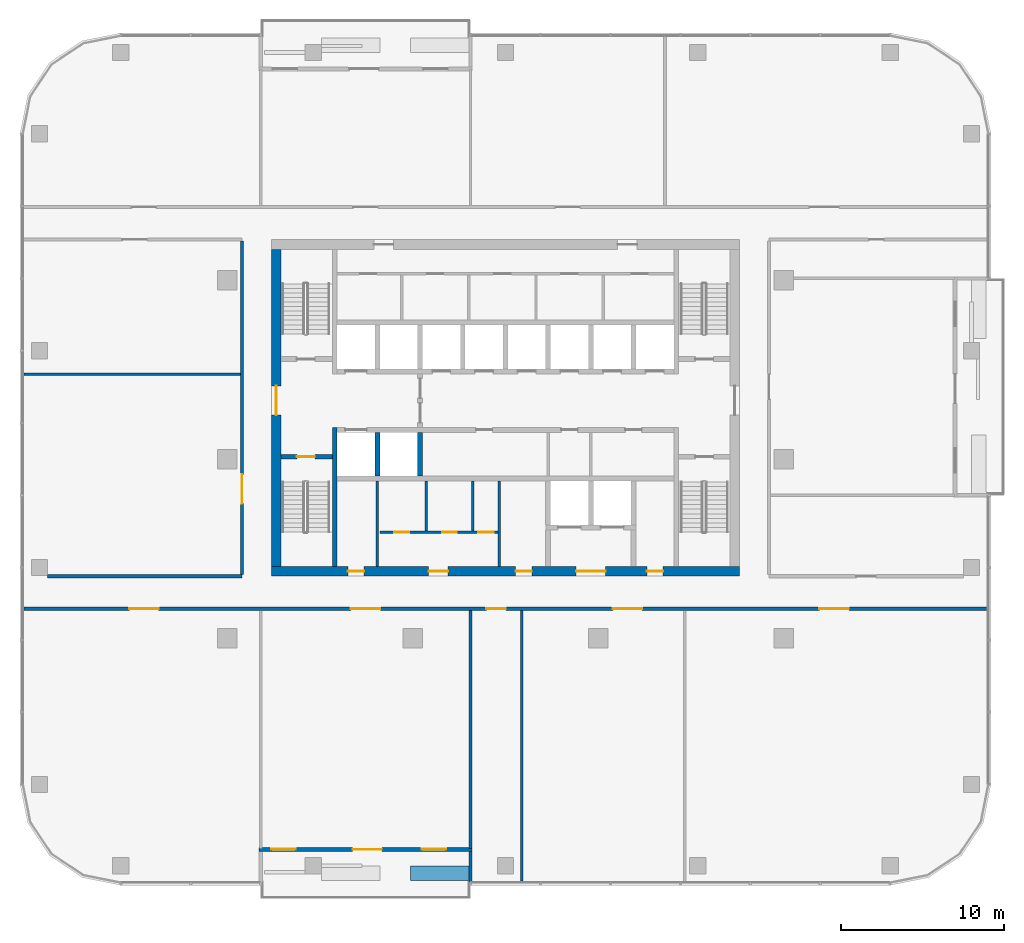
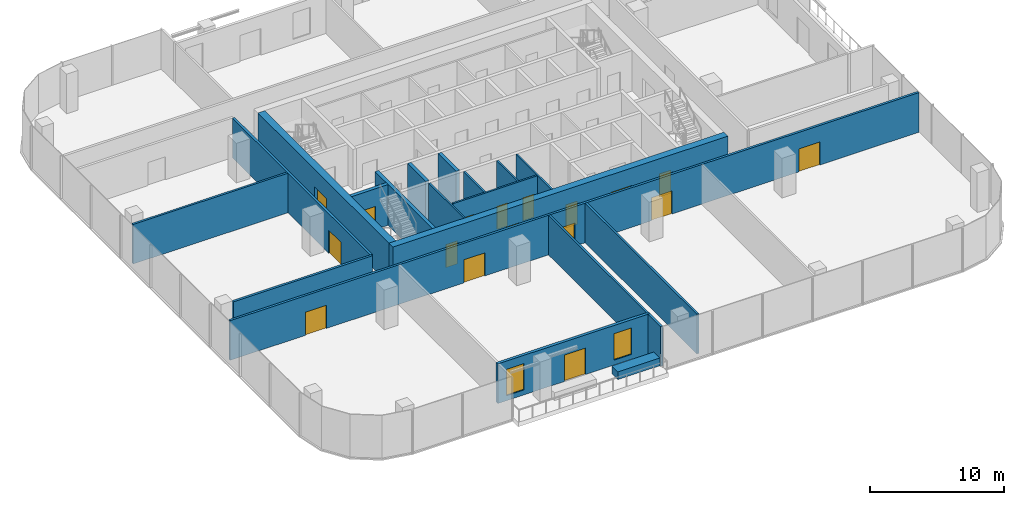
# One storey, part 7 of 13: 20 walls, 17 doors, 2 windows, 19 openings.
"""IFC4 building model written with IfcOpenShell, lengths in metres."""

from ifc_helpers import new_model, si_unit, direction, frame, frame_2d, origin, place, context, subcontext, project, spatial, rectangle, extrude, material, layer, layer_set, type_object, element, fill, save


model = new_model("IFC4")

# Units and contexts
model_context = context("Model", 3, precision=1e-05, world=origin(), true_north=direction((0.0, 1.0)))
body_context = subcontext(model_context, "Body", "Model", "MODEL_VIEW")
ifc_project = project(units=[si_unit("LENGTHUNIT", "METRE"), si_unit("AREAUNIT", "SQUARE_METRE"), si_unit("VOLUMEUNIT", "CUBIC_METRE"), si_unit("PLANEANGLEUNIT", "RADIAN"), si_unit("MASSUNIT", "GRAM", prefix="KILO")], contexts=[model_context])

# Site, building, storey
site_placement = place(None, origin())
site = spatial("IfcSite", under=ifc_project, at=site_placement, CompositionType="ELEMENT")
building_placement = place(site_placement, origin())
building = spatial("IfcBuilding", under=site, at=building_placement, Name="Mopane Tessera Tower", CompositionType="ELEMENT")
storey_placement = place(building_placement, frame((0.0, 0.0, 295.39990234375)))
storey = spatial("IfcBuildingStorey", under=building, at=storey_placement, Name="L64", CompositionType="ELEMENT", Elevation=295.39990234375)

# Wall
ifc_material_1 = material(Name="Fire-rated gypsum board partition")
ifc_layer_1 = layer(ifc_material_1, 0.14990234375)
ifc_layer_set_1 = layer_set([ifc_layer_1], Name="Fire-rated gypsum board partition")
wall_type_1 = type_object("IfcWallType", Name="Core room partition 150 mm", PredefinedType="PARTITIONING", material=ifc_layer_set_1)
wall_1_placement = place(storey_placement, frame((-7.875, -6.60009765625, 0.0), z_axis=(0.0, 0.0, 1.0), x_axis=(0.0, 1.0, 0.0)))
element("IfcWall", 1, at=wall_1_placement, inside=storey, type_object=wall_type_1, Name="L64 Room partition", PredefinedType="PARTITIONING", context=body_context, shape_type="SweptSolid", body=[
    extrude(rectangle(XDim=5.25, YDim=0.14990234375, at=frame_2d((2.625, 0.0))), origin(), (0.0, 0.0, 1.0), 3.7001953125),
])

# Wall, openings, doors
wall_2_placement = place(storey_placement, frame((-7.72509765625, -4.5, 0.0), z_axis=(0.0, 0.0, 1.0), x_axis=(1.0, 0.0, 0.0)))
wall_2 = element("IfcWall", 2, at=wall_2_placement, inside=storey, type_object=wall_type_1, Name="L64 WC partition", PredefinedType="PARTITIONING", context=body_context, shape_type="SweptSolid", body=[
    extrude(rectangle(XDim=7.275146484375, YDim=0.14990234375, at=frame_2d((3.6376953125, 0.0))), origin(), (0.0, 0.0, 1.0), 3.7001953125),
])
opening_1_placement = place(wall_2_placement, frame((0.89990234375, 0.0, 0.0)))
opening_1 = element("IfcOpeningElement", 3, at=opening_1_placement, cuts=wall_2, Name="Opening WD1", PredefinedType="OPENING", context=body_context, shape_type="SweptSolid", body=[
    extrude(rectangle(XDim=0.89990234375, YDim=2.10009765625, at=frame_2d((0.449951171875, 1.050048828125))), frame((0.0, 0.0869140625, 0.0), z_axis=(0.0, -1.0, 0.0), x_axis=(1.0, 0.0, 0.0)), (0.0, 0.0, 1.0), 0.173828125),
])
opening_2_placement = place(wall_2_placement, frame((3.824951171875, 0.0, 0.0)))
opening_2 = element("IfcOpeningElement", 4, at=opening_2_placement, cuts=wall_2, Name="Opening WD1", PredefinedType="OPENING", context=body_context, shape_type="SweptSolid", body=[
    extrude(rectangle(XDim=0.89990234375, YDim=2.10009765625, at=frame_2d((0.449951171875, 1.050048828125))), frame((0.0, 0.0869140625, 0.0), z_axis=(0.0, -1.0, 0.0), x_axis=(1.0, 0.0, 0.0)), (0.0, 0.0, 1.0), 0.173828125),
])
opening_3_placement = place(wall_2_placement, frame((6.050048828125, 0.0, 0.0)))
opening_3 = element("IfcOpeningElement", 5, at=opening_3_placement, cuts=wall_2, Name="Opening WD2", PredefinedType="OPENING", context=body_context, shape_type="SweptSolid", body=[
    extrude(rectangle(XDim=0.949951171875, YDim=2.10009765625, at=frame_2d((0.47509765625, 1.050048828125))), frame((0.0, 0.0869140625, 0.0), z_axis=(0.0, -1.0, 0.0), x_axis=(1.0, 0.0, 0.0)), (0.0, 0.0, 1.0), 0.173828125),
])
ifc_material_2 = material(Name="Timber door", Category="wood")
door_type_1 = type_object("IfcDoorType", Name="Accessible WC door 950 x 2100", OperationType="SINGLE_SWING_LEFT", PredefinedType="DOOR", material=ifc_material_2)
door_1_placement = place(opening_3_placement, origin())
door_1 = element("IfcDoor", 6, at=door_1_placement, inside=storey, type_object=door_type_1, Name="L64 Accessible WC door", OperationType="SINGLE_SWING_LEFT", OverallHeight=2.10009765625, OverallWidth=0.949951171875, PredefinedType="DOOR", context=body_context, shape_type="SweptSolid", body=[
    extrude(rectangle(XDim=0.949951171875, YDim=2.10009765625, at=frame_2d((0.47509765625, 1.050048828125))), frame((0.0, 0.02490234375, 0.0), z_axis=(0.0, -1.0, 0.0), x_axis=(1.0, 0.0, 0.0)), (0.0, 0.0, 1.0), 0.050048828125),
])
fill(opening_3, door_1)
ifc_material_3 = material(Name="Timber door", Category="wood")
door_type_2 = type_object("IfcDoorType", Name="WC cubicle door 900 x 2100", OperationType="SINGLE_SWING_LEFT", PredefinedType="DOOR", material=ifc_material_3)
door_2_placement = place(opening_1_placement, origin())
door_2 = element("IfcDoor", 7, at=door_2_placement, inside=storey, type_object=door_type_2, Name="L64 Men's WC door", OperationType="SINGLE_SWING_LEFT", OverallHeight=2.10009765625, OverallWidth=0.89990234375, PredefinedType="DOOR", context=body_context, shape_type="SweptSolid", body=[
    extrude(rectangle(XDim=0.89990234375, YDim=2.10009765625, at=frame_2d((0.449951171875, 1.050048828125))), frame((0.0, 0.02490234375, 0.0), z_axis=(0.0, -1.0, 0.0), x_axis=(1.0, 0.0, 0.0)), (0.0, 0.0, 1.0), 0.050048828125),
])
fill(opening_1, door_2)
door_3_placement = place(opening_2_placement, origin())
door_3 = element("IfcDoor", 8, at=door_3_placement, inside=storey, type_object=door_type_2, Name="L64 Women's WC door", OperationType="SINGLE_SWING_LEFT", OverallHeight=2.10009765625, OverallWidth=0.89990234375, PredefinedType="DOOR", context=body_context, shape_type="SweptSolid", body=[
    extrude(rectangle(XDim=0.89990234375, YDim=2.10009765625, at=frame_2d((0.449951171875, 1.050048828125))), frame((0.0, 0.02490234375, 0.0), z_axis=(0.0, -1.0, 0.0), x_axis=(1.0, 0.0, 0.0)), (0.0, 0.0, 1.0), 0.050048828125),
])
fill(opening_2, door_3)

# Walls
for number, where, z_axis, x_axis, name in (
    (9, (-4.875, -4.425048828125, 0.0), (0.0, 0.0, 1.0), (0.0, 1.0, 0.0), "L64 WC partition"),
    (10, (-2.02490234375, -4.425048828125, 0.0), (0.0, 0.0, 1.0), (0.0, 1.0, 0.0), "L64 WC partition"),
):
    element("IfcWall", number, at=place(storey_placement, frame(where, z_axis=z_axis, x_axis=x_axis)), inside=storey, type_object=wall_type_1, Name=name, PredefinedType="PARTITIONING", context=body_context, shape_type="SweptSolid", body=[
        extrude(rectangle(XDim=3.074951171875, YDim=0.14990234375, at=frame_2d((1.53759765625, 0.0))), origin(), (0.0, 0.0, 1.0), 3.7001953125),
    ])
wall_3_placement = place(storey_placement, frame((-0.375, -6.60009765625, 0.0), z_axis=(0.0, 0.0, 1.0), x_axis=(0.0, 1.0, 0.0)))
element("IfcWall", 11, at=wall_3_placement, inside=storey, type_object=wall_type_1, Name="L64 Room partition", PredefinedType="PARTITIONING", context=body_context, shape_type="SweptSolid", body=[
    extrude(rectangle(XDim=5.25, YDim=0.14990234375, at=frame_2d((2.625, 0.0))), origin(), (0.0, 0.0, 1.0), 3.7001953125),
])

# Wall, openings, doors
ifc_material_4 = material(Name="Concrete C70/85", Category="concrete")
ifc_layer_2 = layer(ifc_material_4, 0.60009765625)
ifc_layer_set_2 = layer_set([ifc_layer_2], Name="Concrete C70/85")
wall_type_2 = type_object("IfcWallType", Name="Core shear wall 600 mm", PredefinedType="SHEAR", material=ifc_layer_set_2)
wall_4_placement = place(storey_placement, frame((-14.39990234375, -6.89990234375, 0.0), z_axis=(0.0, 0.0, 1.0), x_axis=(1.0, 0.0, 0.0)))
wall_4 = element("IfcWall", 12, at=wall_4_placement, inside=storey, type_object=wall_type_2, Name="L64 Core wall south", PredefinedType="SHEAR", context=body_context, shape_type="SweptSolid", body=[
    extrude(rectangle(XDim=28.7998046875, YDim=0.60009765625, at=frame_2d((14.39990234375, 0.0))), origin(), (0.0, 0.0, 1.0), 3.7001953125),
])
opening_4_placement = place(wall_4_placement, frame((4.71240234375, 0.0, 0.0)))
opening_4 = element("IfcOpeningElement", 13, at=opening_4_placement, cuts=wall_4, Name="Opening RD1", PredefinedType="OPENING", context=body_context, shape_type="SweptSolid", body=[
    extrude(rectangle(XDim=1.0, YDim=2.10009765625, at=frame_2d((0.5, 1.050048828125))), frame((0.0, 0.31201171875, 0.0), z_axis=(0.0, -1.0, 0.0), x_axis=(1.0, 0.0, 0.0)), (0.0, 0.0, 1.0), 0.6240234375),
])
opening_5_placement = place(wall_4_placement, frame((9.675048828125, 0.0, 0.0)))
opening_5 = element("IfcOpeningElement", 14, at=opening_5_placement, cuts=wall_4, Name="Opening WD3", PredefinedType="OPENING", context=body_context, shape_type="SweptSolid", body=[
    extrude(rectangle(XDim=1.199951171875, YDim=2.10009765625, at=frame_2d((0.60009765625, 1.050048828125))), frame((0.0, 0.31201171875, 0.0), z_axis=(0.0, -1.0, 0.0), x_axis=(1.0, 0.0, 0.0)), (0.0, 0.0, 1.0), 0.6240234375),
])
opening_6_placement = place(wall_4_placement, frame((15.02490234375, 0.0, 0.0)))
opening_6 = element("IfcOpeningElement", 15, at=opening_6_placement, cuts=wall_4, Name="Opening RD1", PredefinedType="OPENING", context=body_context, shape_type="SweptSolid", body=[
    extrude(rectangle(XDim=1.0, YDim=2.10009765625, at=frame_2d((0.5, 1.050048828125))), frame((0.0, 0.31201171875, 0.0), z_axis=(0.0, -1.0, 0.0), x_axis=(1.0, 0.0, 0.0)), (0.0, 0.0, 1.0), 0.6240234375),
])
opening_7_placement = place(wall_4_placement, frame((18.75, 0.0, 0.0)))
opening_7 = element("IfcOpeningElement", 16, at=opening_7_placement, cuts=wall_4, Name="Opening SD2", PredefinedType="OPENING", context=body_context, shape_type="SweptSolid", body=[
    extrude(rectangle(XDim=1.800048828125, YDim=2.10009765625, at=frame_2d((0.89990234375, 1.050048828125))), frame((0.0, 0.31201171875, 0.0), z_axis=(0.0, -1.0, 0.0), x_axis=(1.0, 0.0, 0.0)), (0.0, 0.0, 1.0), 0.6240234375),
])
opening_8_placement = place(wall_4_placement, frame((23.08740234375, 0.0, 0.0)))
opening_8 = element("IfcOpeningElement", 17, at=opening_8_placement, cuts=wall_4, Name="Opening RD1", PredefinedType="OPENING", context=body_context, shape_type="SweptSolid", body=[
    extrude(rectangle(XDim=1.0, YDim=2.10009765625, at=frame_2d((0.5, 1.050048828125))), frame((0.0, 0.31201171875, 0.0), z_axis=(0.0, -1.0, 0.0), x_axis=(1.0, 0.0, 0.0)), (0.0, 0.0, 1.0), 0.6240234375),
])
ifc_material_5 = material(Name="Steel fire door", Category="steel")
door_type_3 = type_object("IfcDoorType", Name="Core entrance double door 1800 x 2100", OperationType="DOUBLE_DOOR_SINGLE_SWING", PredefinedType="DOOR", material=ifc_material_5)
door_4_placement = place(opening_7_placement, origin())
door_4 = element("IfcDoor", 18, at=door_4_placement, inside=storey, type_object=door_type_3, Name="L64 Service lobby door", OperationType="DOUBLE_DOOR_SINGLE_SWING", OverallHeight=2.10009765625, OverallWidth=1.800048828125, PredefinedType="DOOR", context=body_context, shape_type="SweptSolid", body=[
    extrude(rectangle(XDim=1.800048828125, YDim=2.10009765625, at=frame_2d((0.89990234375, 1.050048828125))), frame((0.0, 0.02490234375, 0.0), z_axis=(0.0, -1.0, 0.0), x_axis=(1.0, 0.0, 0.0)), (0.0, 0.0, 1.0), 0.050048828125),
])
fill(opening_7, door_4)
ifc_material_6 = material(Name="Timber door", Category="wood")
door_type_4 = type_object("IfcDoorType", Name="Core room door 1000 x 2100", OperationType="SINGLE_SWING_LEFT", PredefinedType="DOOR", material=ifc_material_6)
door_5_placement = place(opening_4_placement, origin())
door_5 = element("IfcDoor", 19, at=door_5_placement, inside=storey, type_object=door_type_4, Name="L64 Room door", OperationType="SINGLE_SWING_LEFT", OverallHeight=2.10009765625, OverallWidth=1.0, PredefinedType="DOOR", context=body_context, shape_type="SweptSolid", body=[
    extrude(rectangle(XDim=1.0, YDim=2.10009765625, at=frame_2d((0.5, 1.050048828125))), frame((0.0, 0.02490234375, 0.0), z_axis=(0.0, -1.0, 0.0), x_axis=(1.0, 0.0, 0.0)), (0.0, 0.0, 1.0), 0.050048828125),
])
fill(opening_4, door_5)
door_6_placement = place(opening_6_placement, origin())
door_6 = element("IfcDoor", 20, at=door_6_placement, inside=storey, type_object=door_type_4, Name="L64 Room door", OperationType="SINGLE_SWING_LEFT", OverallHeight=2.10009765625, OverallWidth=1.0, PredefinedType="DOOR", context=body_context, shape_type="SweptSolid", body=[
    extrude(rectangle(XDim=1.0, YDim=2.10009765625, at=frame_2d((0.5, 1.050048828125))), frame((0.0, 0.02490234375, 0.0), z_axis=(0.0, -1.0, 0.0), x_axis=(1.0, 0.0, 0.0)), (0.0, 0.0, 1.0), 0.050048828125),
])
fill(opening_6, door_6)
door_7_placement = place(opening_8_placement, origin())
door_7 = element("IfcDoor", 21, at=door_7_placement, inside=storey, type_object=door_type_4, Name="L64 Room door", OperationType="SINGLE_SWING_LEFT", OverallHeight=2.10009765625, OverallWidth=1.0, PredefinedType="DOOR", context=body_context, shape_type="SweptSolid", body=[
    extrude(rectangle(XDim=1.0, YDim=2.10009765625, at=frame_2d((0.5, 1.050048828125))), frame((0.0, 0.02490234375, 0.0), z_axis=(0.0, -1.0, 0.0), x_axis=(1.0, 0.0, 0.0)), (0.0, 0.0, 1.0), 0.050048828125),
])
fill(opening_8, door_7)
ifc_material_7 = material(Name="Timber door", Category="wood")
door_type_5 = type_object("IfcDoorType", Name="WC lobby door 1200 x 2100", OperationType="SINGLE_SWING_LEFT", PredefinedType="DOOR", material=ifc_material_7)
door_8_placement = place(opening_5_placement, origin())
door_8 = element("IfcDoor", 22, at=door_8_placement, inside=storey, type_object=door_type_5, Name="L64 WC lobby door", OperationType="SINGLE_SWING_LEFT", OverallHeight=2.10009765625, OverallWidth=1.199951171875, PredefinedType="DOOR", context=body_context, shape_type="SweptSolid", body=[
    extrude(rectangle(XDim=1.199951171875, YDim=2.10009765625, at=frame_2d((0.60009765625, 1.050048828125))), frame((0.0, 0.02490234375, 0.0), z_axis=(0.0, -1.0, 0.0), x_axis=(1.0, 0.0, 0.0)), (0.0, 0.0, 1.0), 0.050048828125),
])
fill(opening_5, door_8)

# Wall, opening, door
wall_5_placement = place(storey_placement, frame((-14.10009765625, -6.60009765625, 0.0), z_axis=(0.0, 0.0, 1.0), x_axis=(0.0, 1.0, 0.0)))
wall_5 = element("IfcWall", 23, at=wall_5_placement, inside=storey, type_object=wall_type_2, Name="L64 Core wall west", PredefinedType="SHEAR", context=body_context, shape_type="SweptSolid", body=[
    extrude(rectangle(XDim=19.5, YDim=0.60009765625, at=frame_2d((9.75, 0.0))), origin(), (0.0, 0.0, 1.0), 3.7001953125),
])
opening_9_placement = place(wall_5_placement, frame((9.300048828125, 0.0, 0.0)))
opening_9 = element("IfcOpeningElement", 24, at=opening_9_placement, cuts=wall_5, Name="Opening SD2", PredefinedType="OPENING", context=body_context, shape_type="SweptSolid", body=[
    extrude(rectangle(XDim=1.800048828125, YDim=2.10009765625, at=frame_2d((0.89990234375, 1.050048828125))), frame((0.0, 0.31201171875, 0.0), z_axis=(0.0, -1.0, 0.0), x_axis=(1.0, 0.0, 0.0)), (0.0, 0.0, 1.0), 0.6240234375),
])
door_9_placement = place(opening_9_placement, origin())
door_9 = element("IfcDoor", 25, at=door_9_placement, inside=storey, type_object=door_type_3, Name="L64 Core entrance door west", OperationType="DOUBLE_DOOR_SINGLE_SWING", OverallHeight=2.10009765625, OverallWidth=1.800048828125, PredefinedType="DOOR", context=body_context, shape_type="SweptSolid", body=[
    extrude(rectangle(XDim=1.800048828125, YDim=2.10009765625, at=frame_2d((0.89990234375, 1.050048828125))), frame((0.0, 0.02490234375, 0.0), z_axis=(0.0, -1.0, 0.0), x_axis=(1.0, 0.0, 0.0)), (0.0, 0.0, 1.0), 0.050048828125),
])
fill(opening_9, door_9)

# Walls
ifc_material_8 = material(Name="Concrete C60/75", Category="concrete")
ifc_layer_3 = layer(ifc_material_8, 0.300048828125)
ifc_layer_set_3 = layer_set([ifc_layer_3], Name="Concrete C60/75")
wall_type_3 = type_object("IfcWallType", Name="Core spine wall 300 mm", PredefinedType="SHEAR", material=ifc_layer_set_3)
wall_6_placement = place(storey_placement, frame((-10.5, -6.60009765625, 0.0), z_axis=(0.0, 0.0, 1.0), x_axis=(0.0, 1.0, 0.0)))
element("IfcWall", 26, at=wall_6_placement, inside=storey, type_object=wall_type_3, Name="L64 Core spine wall", PredefinedType="SHEAR", context=body_context, shape_type="SweptSolid", body=[
    extrude(rectangle(XDim=8.550048828125, YDim=0.300048828125, at=frame_2d((4.27490234375, 0.0))), origin(), (0.0, 0.0, 1.0), 3.7001953125),
])
ifc_material_9 = material(Name="Gypsum board on staggered steel studs, double layer each face, acoustic mineral wool infill", Category="steel")
ifc_layer_4 = layer(ifc_material_9, 0.175048828125)
ifc_layer_set_4 = layer_set([ifc_layer_4], Name="Gypsum board on staggered steel studs, double layer each face, acoustic mineral wool infill")
wall_type_4 = type_object("IfcWallType", Name="Gypsum board acoustic partition 175, rated EI 60", PredefinedType="PARTITIONING", material=ifc_layer_set_4)
wall_7_placement = place(storey_placement, frame((-29.60009765625, 5.219970703125, 0.0), z_axis=(0.0, 0.0, 1.0), x_axis=(1.0, 0.0, 0.0)))
element("IfcWall", 27, at=wall_7_placement, inside=storey, type_object=wall_type_4, Name="Partition L64:004", PredefinedType="PARTITIONING", context=body_context, shape_type="SweptSolid", body=[
    extrude(rectangle(XDim=13.300048828125, YDim=0.175048828125, at=frame_2d((6.64990234375, 0.0))), origin(), (0.0, 0.0, 1.0), 3.60009765625),
])
wall_8_placement = place(storey_placement, frame((-2.14990234375, -23.949951171875, 0.0), z_axis=(0.0, 0.0, 1.0), x_axis=(0.0, 1.0, 0.0)))
element("IfcWall", 28, at=wall_8_placement, inside=storey, type_object=wall_type_4, Name="Partition L64:013", PredefinedType="PARTITIONING", context=body_context, shape_type="SweptSolid", body=[
    extrude(rectangle(XDim=14.64990234375, YDim=0.175048828125, at=frame_2d((7.324951171875, 0.0))), origin(), (0.0, 0.0, 1.0), 3.60009765625),
])
wall_9_placement = place(storey_placement, frame((1.0, -25.949951171875, 0.0), z_axis=(0.0, 0.0, 1.0), x_axis=(0.0, 1.0, 0.0)))
element("IfcWall", 29, at=wall_9_placement, inside=storey, type_object=wall_type_4, Name="Partition L64:014", PredefinedType="PARTITIONING", context=body_context, shape_type="SweptSolid", body=[
    extrude(rectangle(XDim=16.64990234375, YDim=0.175048828125, at=frame_2d((8.324951171875, 0.0))), origin(), (0.0, 0.0, 1.0), 3.60009765625),
])

# Wall, openings, doors
ifc_material_10 = material(Name="Gypsum board on steel studs, two layers each face, mineral wool infill", Category="steel")
ifc_layer_5 = layer(ifc_material_10, 0.199951171875)
ifc_layer_set_5 = layer_set([ifc_layer_5], Name="Gypsum board on steel studs, two layers each face, mineral wool infill")
wall_type_5 = type_object("IfcWallType", Name="Gypsum board corridor wall 200, rated EI 60", PredefinedType="PARTITIONING", material=ifc_layer_set_5)
wall_10_placement = place(storey_placement, frame((-29.60009765625, -9.199951171875, 0.0), z_axis=(0.0, 0.0, 1.0), x_axis=(1.0, 0.0, 0.0)))
wall_10 = element("IfcWall", 30, at=wall_10_placement, inside=storey, type_object=wall_type_5, Name="Partition L64:000", PredefinedType="PARTITIONING", context=body_context, shape_type="SweptSolid", body=[
    extrude(rectangle(XDim=59.2001953125, YDim=0.199951171875, at=frame_2d((29.60009765625, 0.0))), origin(), (0.0, 0.0, 1.0), 3.60009765625),
])
opening_10_placement = place(wall_10_placement, frame((48.905029296875, 0.0, 0.0)))
opening_10 = element("IfcOpeningElement", 31, at=opening_10_placement, cuts=wall_10, Name="Opening L64-04", PredefinedType="OPENING", context=body_context, shape_type="SweptSolid", body=[
    extrude(rectangle(XDim=1.800048828125, YDim=2.10009765625, at=frame_2d((0.89990234375, 1.050048828125))), frame((0.0, 0.112060546875, 0.0), z_axis=(0.0, -1.0, 0.0), x_axis=(1.0, 0.0, 0.0)), (0.0, 0.0, 1.0), 0.223876953125),
])
opening_11_placement = place(wall_10_placement, frame((36.205078125, 0.0, 0.0)))
opening_11 = element("IfcOpeningElement", 32, at=opening_11_placement, cuts=wall_10, Name="Opening L64-07", PredefinedType="OPENING", context=body_context, shape_type="SweptSolid", body=[
    extrude(rectangle(XDim=1.800048828125, YDim=2.10009765625, at=frame_2d((0.89990234375, 1.050048828125))), frame((0.0, 0.112060546875, 0.0), z_axis=(0.0, -1.0, 0.0), x_axis=(1.0, 0.0, 0.0)), (0.0, 0.0, 1.0), 0.223876953125),
])
opening_12_placement = place(wall_10_placement, frame((20.10009765625, 0.0, 0.0)))
opening_12 = element("IfcOpeningElement", 33, at=opening_12_placement, cuts=wall_10, Name="Opening L64-09", PredefinedType="OPENING", context=body_context, shape_type="SweptSolid", body=[
    extrude(rectangle(XDim=1.800048828125, YDim=2.10009765625, at=frame_2d((0.89990234375, 1.050048828125))), frame((0.0, 0.112060546875, 0.0), z_axis=(0.0, -1.0, 0.0), x_axis=(1.0, 0.0, 0.0)), (0.0, 0.0, 1.0), 0.223876953125),
])
opening_13_placement = place(wall_10_placement, frame((6.47509765625, 0.0, 0.0)))
opening_13 = element("IfcOpeningElement", 34, at=opening_13_placement, cuts=wall_10, Name="Opening L64-13", PredefinedType="OPENING", context=body_context, shape_type="SweptSolid", body=[
    extrude(rectangle(XDim=1.800048828125, YDim=2.10009765625, at=frame_2d((0.89990234375, 1.050048828125))), frame((0.0, 0.112060546875, 0.0), z_axis=(0.0, -1.0, 0.0), x_axis=(1.0, 0.0, 0.0)), (0.0, 0.0, 1.0), 0.223876953125),
])
opening_14_placement = place(wall_10_placement, frame((28.425048828125, 0.0, 0.0)))
opening_14 = element("IfcOpeningElement", 35, at=opening_14_placement, cuts=wall_10, Name="Opening L64-14", PredefinedType="OPENING", context=body_context, shape_type="SweptSolid", body=[
    extrude(rectangle(XDim=1.199951171875, YDim=2.10009765625, at=frame_2d((0.60009765625, 1.050048828125))), frame((0.0, 0.112060546875, 0.0), z_axis=(0.0, -1.0, 0.0), x_axis=(1.0, 0.0, 0.0)), (0.0, 0.0, 1.0), 0.223876953125),
])
ifc_material_11 = material(Name="Timber veneered steel-framed fire door", Category="steel")
door_type_6 = type_object("IfcDoorType", Name="Fire door FD60 1200 x 2100", OperationType="SINGLE_SWING_LEFT", PredefinedType="DOOR", material=ifc_material_11)
door_10_placement = place(opening_14_placement, origin())
door_10 = element("IfcDoor", 36, at=door_10_placement, inside=storey, type_object=door_type_6, Name="Door L64-14", ObjectType="D15A", OperationType="SINGLE_SWING_RIGHT", OverallHeight=2.10009765625, OverallWidth=1.199951171875, PredefinedType="DOOR", context=body_context, shape_type="SweptSolid", body=[
    extrude(rectangle(XDim=1.199951171875, YDim=2.10009765625, at=frame_2d((0.60009765625, 1.050048828125))), frame((0.0, 0.02490234375, 0.0), z_axis=(0.0, -1.0, 0.0), x_axis=(1.0, 0.0, 0.0)), (0.0, 0.0, 1.0), 0.050048828125),
])
fill(opening_14, door_10)
ifc_material_12 = material(Name="Timber veneered steel-framed fire door", Category="steel")
door_type_7 = type_object("IfcDoorType", Name="Fire door pair FD60 1800 x 2100", OperationType="DOUBLE_DOOR_SINGLE_SWING", PredefinedType="DOOR", material=ifc_material_12)
door_11_placement = place(opening_10_placement, origin())
door_11 = element("IfcDoor", 37, at=door_11_placement, inside=storey, type_object=door_type_7, Name="Door L64-04", ObjectType="D20A", OperationType="DOUBLE_DOOR_SINGLE_SWING", OverallHeight=2.10009765625, OverallWidth=1.800048828125, PredefinedType="DOOR", context=body_context, shape_type="SweptSolid", body=[
    extrude(rectangle(XDim=1.800048828125, YDim=2.10009765625, at=frame_2d((0.89990234375, 1.050048828125))), frame((0.0, 0.02490234375, 0.0), z_axis=(0.0, -1.0, 0.0), x_axis=(1.0, 0.0, 0.0)), (0.0, 0.0, 1.0), 0.050048828125),
])
fill(opening_10, door_11)
door_12_placement = place(opening_11_placement, origin())
door_12 = element("IfcDoor", 38, at=door_12_placement, inside=storey, type_object=door_type_7, Name="Door L64-07", ObjectType="D20A", OperationType="DOUBLE_DOOR_SINGLE_SWING", OverallHeight=2.10009765625, OverallWidth=1.800048828125, PredefinedType="DOOR", context=body_context, shape_type="SweptSolid", body=[
    extrude(rectangle(XDim=1.800048828125, YDim=2.10009765625, at=frame_2d((0.89990234375, 1.050048828125))), frame((0.0, 0.02490234375, 0.0), z_axis=(0.0, -1.0, 0.0), x_axis=(1.0, 0.0, 0.0)), (0.0, 0.0, 1.0), 0.050048828125),
])
fill(opening_11, door_12)
door_13_placement = place(opening_12_placement, origin())
door_13 = element("IfcDoor", 39, at=door_13_placement, inside=storey, type_object=door_type_7, Name="Door L64-09", ObjectType="D20A", OperationType="DOUBLE_DOOR_SINGLE_SWING", OverallHeight=2.10009765625, OverallWidth=1.800048828125, PredefinedType="DOOR", context=body_context, shape_type="SweptSolid", body=[
    extrude(rectangle(XDim=1.800048828125, YDim=2.10009765625, at=frame_2d((0.89990234375, 1.050048828125))), frame((0.0, 0.02490234375, 0.0), z_axis=(0.0, -1.0, 0.0), x_axis=(1.0, 0.0, 0.0)), (0.0, 0.0, 1.0), 0.050048828125),
])
fill(opening_12, door_13)
door_14_placement = place(opening_13_placement, origin())
door_14 = element("IfcDoor", 40, at=door_14_placement, inside=storey, type_object=door_type_7, Name="Door L64-13", ObjectType="D20A", OperationType="DOUBLE_DOOR_SINGLE_SWING", OverallHeight=2.10009765625, OverallWidth=1.800048828125, PredefinedType="DOOR", context=body_context, shape_type="SweptSolid", body=[
    extrude(rectangle(XDim=1.800048828125, YDim=2.10009765625, at=frame_2d((0.89990234375, 1.050048828125))), frame((0.0, 0.02490234375, 0.0), z_axis=(0.0, -1.0, 0.0), x_axis=(1.0, 0.0, 0.0)), (0.0, 0.0, 1.0), 0.050048828125),
])
fill(opening_13, door_14)

# Wall
wall_11_placement = place(storey_placement, frame((-28.14990234375, -7.199951171875, 0.0), z_axis=(0.0, 0.0, 1.0), x_axis=(1.0, 0.0, 0.0)))
element("IfcWall", 41, at=wall_11_placement, inside=storey, type_object=wall_type_5, Name="Partition L64:001", PredefinedType="PARTITIONING", context=body_context, shape_type="SweptSolid", body=[
    extrude(rectangle(XDim=11.949951171875, YDim=0.199951171875, at=frame_2d((5.97509765625, 0.0))), origin(), (0.0, 0.0, 1.0), 3.60009765625),
])

# Wall, opening, door
wall_12_placement = place(storey_placement, frame((-16.199951171875, -7.10009765625, 0.0), z_axis=(0.0, 0.0, 1.0), x_axis=(0.0, 1.0, 0.0)))
wall_12 = element("IfcWall", 42, at=wall_12_placement, inside=storey, type_object=wall_type_5, Name="Partition L64:009", PredefinedType="PARTITIONING", context=body_context, shape_type="SweptSolid", body=[
    extrude(rectangle(XDim=20.5, YDim=0.199951171875, at=frame_2d((10.25, 0.0))), origin(), (0.0, 0.0, 1.0), 3.60009765625),
])
opening_15_placement = place(wall_12_placement, frame((4.360107421875, 0.0, 0.0)))
opening_15 = element("IfcOpeningElement", 43, at=opening_15_placement, cuts=wall_12, Name="Opening L64-12", PredefinedType="OPENING", context=body_context, shape_type="SweptSolid", body=[
    extrude(rectangle(XDim=1.800048828125, YDim=2.10009765625, at=frame_2d((0.89990234375, 1.050048828125))), frame((0.0, 0.112060546875, 0.0), z_axis=(0.0, -1.0, 0.0), x_axis=(1.0, 0.0, 0.0)), (0.0, 0.0, 1.0), 0.223876953125),
])
door_15_placement = place(opening_15_placement, origin())
door_15 = element("IfcDoor", 44, at=door_15_placement, inside=storey, type_object=door_type_7, Name="Door L64-12", ObjectType="D20A", OperationType="DOUBLE_DOOR_SINGLE_SWING", OverallHeight=2.10009765625, OverallWidth=1.800048828125, PredefinedType="DOOR", context=body_context, shape_type="SweptSolid", body=[
    extrude(rectangle(XDim=1.800048828125, YDim=2.10009765625, at=frame_2d((0.89990234375, 1.050048828125))), frame((0.0, 0.02490234375, 0.0), z_axis=(0.0, -1.0, 0.0), x_axis=(1.0, 0.0, 0.0)), (0.0, 0.0, 1.0), 0.050048828125),
])
fill(opening_15, door_15)

ifc_material_13 = material(Name="Concrete C50/60", Category="concrete")
ifc_layer_6 = layer(ifc_material_13, 0.300048828125)
ifc_layer_set_6 = layer_set([ifc_layer_6], Name="Concrete C50/60")
wall_type_6 = type_object("IfcWallType", Name="Lift and stair shaft wall 300 mm", PredefinedType="SOLIDWALL", material=ifc_layer_set_6)
wall_13_placement = place(storey_placement, frame((-13.800048828125, 0.14990234375, 0.0), z_axis=(0.0, 0.0, 1.0), x_axis=(1.0, 0.0, 0.0)))
wall_13 = element("IfcWall", 45, at=wall_13_placement, inside=storey, type_object=wall_type_6, Name="L64 Stair enclosure wall", PredefinedType="SOLIDWALL", context=body_context, shape_type="SweptSolid", body=[
    extrude(rectangle(XDim=3.150146484375, YDim=0.300048828125, at=frame_2d((1.5751953125, 0.0))), origin(), (0.0, 0.0, 1.0), 3.7001953125),
])
opening_16_placement = place(wall_13_placement, frame((0.97509765625, 0.0, 0.0)))
opening_16 = element("IfcOpeningElement", 46, at=opening_16_placement, cuts=wall_13, Name="Opening SD1", PredefinedType="OPENING", context=body_context, shape_type="SweptSolid", body=[
    extrude(rectangle(XDim=1.10009765625, YDim=2.10009765625, at=frame_2d((0.550048828125, 1.050048828125))), frame((0.0, 0.162109375, 0.0), z_axis=(0.0, -1.0, 0.0), x_axis=(1.0, 0.0, 0.0)), (0.0, 0.0, 1.0), 0.323974609375),
])
ifc_material_14 = material(Name="Steel fire door", Category="steel")
door_type_8 = type_object("IfcDoorType", Name="Stair fire door 1100 x 2100", OperationType="SINGLE_SWING_LEFT", PredefinedType="DOOR", material=ifc_material_14)
door_16_placement = place(opening_16_placement, origin())
door_16 = element("IfcDoor", 47, at=door_16_placement, inside=storey, type_object=door_type_8, Name="L64 Stair door ST1", OperationType="SINGLE_SWING_LEFT", OverallHeight=2.10009765625, OverallWidth=1.10009765625, PredefinedType="DOOR", context=body_context, shape_type="SweptSolid", body=[
    extrude(rectangle(XDim=1.10009765625, YDim=2.10009765625, at=frame_2d((0.550048828125, 1.050048828125))), frame((0.0, 0.02490234375, 0.0), z_axis=(0.0, -1.0, 0.0), x_axis=(1.0, 0.0, 0.0)), (0.0, 0.0, 1.0), 0.050048828125),
])
fill(opening_16, door_16)

# Walls
for number, where, z_axis, x_axis, name in (
    (48, (-7.875, -1.050048828125, 0.0), (0.0, 0.0, 1.0), (0.0, 1.0, 0.0), "L64 Lift shaft wall"),
    (49, (-5.25, -1.050048828125, 0.0), (0.0, 0.0, 1.0), (0.0, 1.0, 0.0), "L64 Lift shaft wall"),
):
    element("IfcWall", number, at=place(storey_placement, frame(where, z_axis=z_axis, x_axis=x_axis)), inside=storey, type_object=wall_type_6, Name=name, PredefinedType="SOLIDWALL", context=body_context, shape_type="SweptSolid", body=[
        extrude(rectangle(XDim=2.699951171875, YDim=0.300048828125, at=frame_2d((1.35009765625, 0.0))), origin(), (0.0, 0.0, 1.0), 3.7001953125),
    ])
ifc_material_15 = material(Name="Reinforced concrete C32/40 with waterproofing", Category="concrete")
ifc_layer_7 = layer(ifc_material_15, 0.89990234375)
ifc_layer_set_7 = layer_set([ifc_layer_7], Name="Reinforced concrete C32/40 with waterproofing")
wall_type_7 = type_object("IfcWallType", Name="Planter trough 3600 x 900", PredefinedType="STANDARD", material=ifc_layer_set_7)
wall_14_placement = place(storey_placement, frame((-5.85009765625, -25.449951171875, 0.0), z_axis=(0.0, 0.0, 1.0), x_axis=(1.0, 0.0, 0.0)))
element("IfcWall", 50, at=wall_14_placement, inside=storey, type_object=wall_type_7, Name="e:nw:L64:N3:pl1", PredefinedType="STANDARD", context=body_context, shape_type="SweptSolid", body=[
    extrude(rectangle(XDim=3.60009765625, YDim=0.89990234375, at=frame_2d((1.800048828125, 0.0))), origin(), (0.0, 0.0, 1.0), 0.7001953125),
])
ifc_material_16 = material(Name="Blockwork with glazed tile facing", Category="masonry")
ifc_layer_8 = layer(ifc_material_16, 0.199951171875)
ifc_layer_set_8 = layer_set([ifc_layer_8], Name="Blockwork with glazed tile facing")
wall_type_8 = type_object("IfcWallType", Name="Terrace cheek wall 200", PredefinedType="STANDARD", material=ifc_layer_set_8)
wall_15_placement = place(storey_placement, frame((-2.14990234375, -26.0, 0.0), z_axis=(0.0, 0.0, 1.0), x_axis=(0.0, 1.0, 0.0)))
element("IfcWall", 51, at=wall_15_placement, inside=storey, type_object=wall_type_8, Name="e:nw:L64:N3:cheekb", PredefinedType="STANDARD", context=body_context, shape_type="SweptSolid", body=[
    extrude(rectangle(XDim=1.875, YDim=0.199951171875, at=frame_2d((0.9375, 0.0))), origin(), (0.0, 0.0, 1.0), 3.60009765625),
])

# Wall, openings, windows, door
ifc_material_17 = material(Name="Blockwork with ultramarine glazed tile facing", Category="masonry")
ifc_layer_9 = layer(ifc_material_17, 0.25)
ifc_layer_set_9 = layer_set([ifc_layer_9], Name="Blockwork with ultramarine glazed tile facing")
wall_type_9 = type_object("IfcWallType", Name="Tile-clad external wall 250, ultramarine", PredefinedType="STANDARD", material=ifc_layer_set_9)
wall_16_placement = place(storey_placement, frame((-15.14990234375, -24.0, 0.0), z_axis=(0.0, 0.0, 1.0), x_axis=(1.0, 0.0, 0.0)))
wall_16 = element("IfcWall", 52, at=wall_16_placement, inside=storey, type_object=wall_type_9, Name="e:nw:L64:N3:back", PredefinedType="STANDARD", context=body_context, shape_type="SweptSolid", body=[
    extrude(rectangle(XDim=13.099853515625, YDim=0.25, at=frame_2d((6.5498046875, 0.0))), origin(), (0.0, 0.0, 1.0), 3.60009765625),
])
opening_17_placement = place(wall_16_placement, frame((0.75, 0.0, 0.449951171875)))
opening_17 = element("IfcOpeningElement", 53, at=opening_17_placement, cuts=wall_16, Name="Opening NW643A", PredefinedType="OPENING", context=body_context, shape_type="SweptSolid", body=[
    extrude(rectangle(XDim=1.5, YDim=2.39990234375, at=frame_2d((0.75, 1.199951171875))), frame((0.0, 0.136962890625, 0.0), z_axis=(0.0, -1.0, 0.0), x_axis=(1.0, 0.0, 0.0)), (0.0, 0.0, 1.0), 0.27392578125),
])
opening_18_placement = place(wall_16_placement, frame((5.75, 0.0, 0.0)))
opening_18 = element("IfcOpeningElement", 54, at=opening_18_placement, cuts=wall_16, Name="Opening ND643", PredefinedType="OPENING", context=body_context, shape_type="SweptSolid", body=[
    extrude(rectangle(XDim=1.800048828125, YDim=2.39990234375, at=frame_2d((0.89990234375, 1.199951171875))), frame((0.0, 0.136962890625, 0.0), z_axis=(0.0, -1.0, 0.0), x_axis=(1.0, 0.0, 0.0)), (0.0, 0.0, 1.0), 0.27392578125),
])
opening_19_placement = place(wall_16_placement, frame((10.0, 0.0, 0.449951171875)))
opening_19 = element("IfcOpeningElement", 55, at=opening_19_placement, cuts=wall_16, Name="Opening NW643B", PredefinedType="OPENING", context=body_context, shape_type="SweptSolid", body=[
    extrude(rectangle(XDim=1.5, YDim=2.39990234375, at=frame_2d((0.75, 1.199951171875))), frame((0.0, 0.136962890625, 0.0), z_axis=(0.0, -1.0, 0.0), x_axis=(1.0, 0.0, 0.0)), (0.0, 0.0, 1.0), 0.27392578125),
])
ifc_material_18 = material(Name="Clear laminated glass", Category="glass")
window_type = type_object("IfcWindowType", Name="Fixed window 1500 x 2400", PartitioningType="SINGLE_PANEL", PredefinedType="WINDOW", material=ifc_material_18)
window_1_placement = place(opening_17_placement, origin())
window_1 = element("IfcWindow", 56, at=window_1_placement, inside=storey, type_object=window_type, Name="e:nw:L64:N3:win0", OverallHeight=2.39990234375, OverallWidth=1.5, PartitioningType="SINGLE_PANEL", PredefinedType="WINDOW", context=body_context, shape_type="SweptSolid", body=[
    extrude(rectangle(XDim=1.5, YDim=2.39990234375, at=frame_2d((0.75, 1.199951171875))), frame((0.0, 0.030029296875, 0.0), z_axis=(0.0, -1.0, 0.0), x_axis=(1.0, 0.0, 0.0)), (0.0, 0.0, 1.0), 0.06005859375),
])
fill(opening_17, window_1)
window_2_placement = place(opening_19_placement, origin())
window_2 = element("IfcWindow", 57, at=window_2_placement, inside=storey, type_object=window_type, Name="e:nw:L64:N3:win2", OverallHeight=2.39990234375, OverallWidth=1.5, PartitioningType="SINGLE_PANEL", PredefinedType="WINDOW", context=body_context, shape_type="SweptSolid", body=[
    extrude(rectangle(XDim=1.5, YDim=2.39990234375, at=frame_2d((0.75, 1.199951171875))), frame((0.0, 0.030029296875, 0.0), z_axis=(0.0, -1.0, 0.0), x_axis=(1.0, 0.0, 0.0)), (0.0, 0.0, 1.0), 0.06005859375),
])
fill(opening_19, window_2)
ifc_material_19 = material(Name="Aluminium and clear glass", Category="aluminium")
door_type_9 = type_object("IfcDoorType", Name="Terrace double door 1800 x 2400", OperationType="DOUBLE_DOOR_SINGLE_SWING", PredefinedType="DOOR", material=ifc_material_19)
door_17_placement = place(opening_18_placement, origin())
door_17 = element("IfcDoor", 58, at=door_17_placement, inside=storey, type_object=door_type_9, Name="e:nw:L64:N3:door", ObjectType="D1", OperationType="DOUBLE_DOOR_SINGLE_SWING", OverallHeight=2.39990234375, OverallWidth=1.800048828125, PredefinedType="DOOR", context=body_context, shape_type="SweptSolid", body=[
    extrude(rectangle(XDim=1.800048828125, YDim=2.39990234375, at=frame_2d((0.89990234375, 1.199951171875))), frame((0.0, 0.02490234375, 0.0), z_axis=(0.0, -1.0, 0.0), x_axis=(1.0, 0.0, 0.0)), (0.0, 0.0, 1.0), 0.050048828125),
])
fill(opening_18, door_17)

save(model, "model.ifc")
